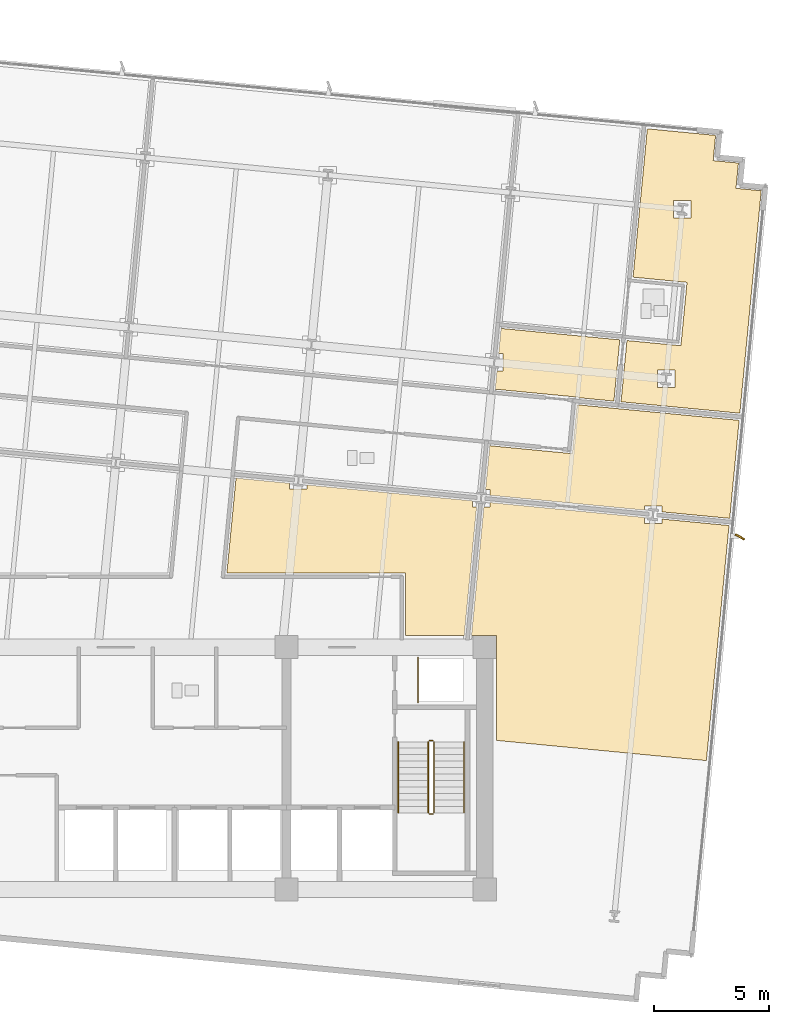
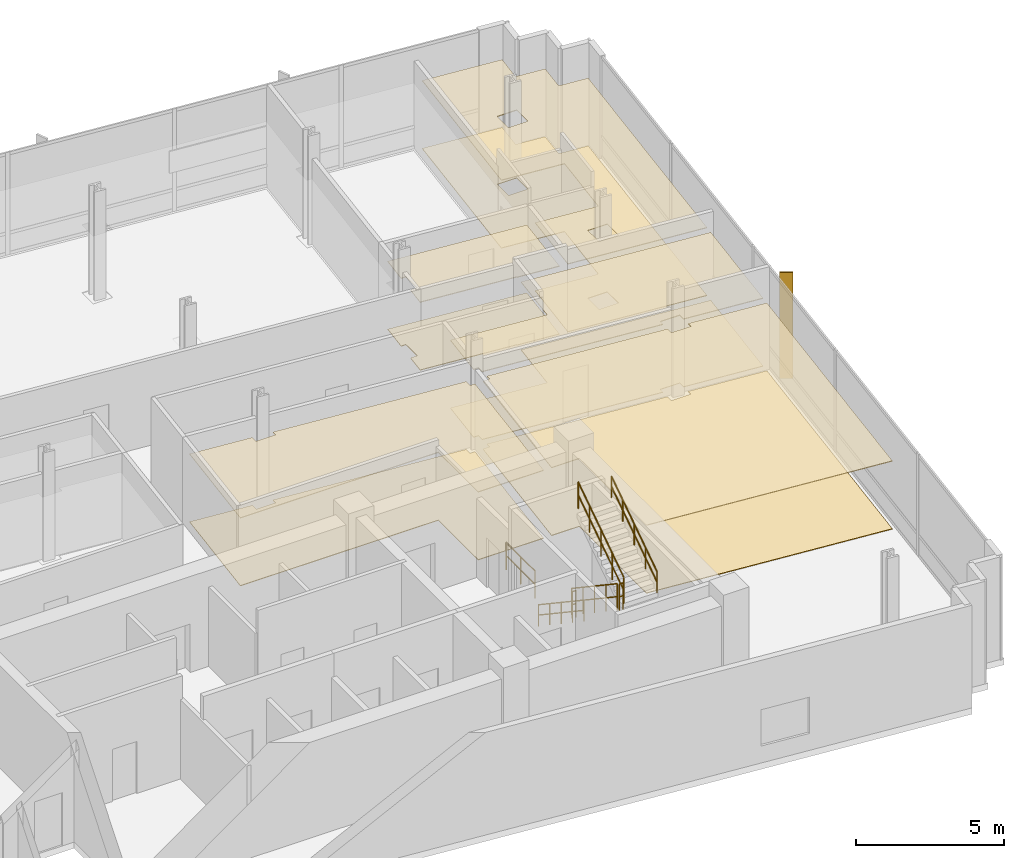
# One storey, part 15 of 17: 10 coverings, 7 railings, 1 shading device.
"""IFC4 building model written with IfcOpenShell, lengths in metres."""

import ifcopenshell
import ifcopenshell.guid

model = None  # the IFC model being written
_history = None  # IfcOwnerHistory: only IFC2X3 demands one
_inside = {}  # id of a spatial element -> (the spatial element, [elements in it])
_under = {}  # id of a project, library or spatial element -> (it, [spatial elements below it])
_declared = {}  # id of a project -> (the project, [libraries it declares])
_typed = {}  # id of a type object -> (the type object, [elements of that type])
_made_of = {}  # id of a material, layer set ... -> (it, [elements and type objects made of it])


def new_model(schema):
    """Start an empty IFC model of exactly this schema.

    Asked for "IFC4X3", IfcOpenShell would pick the latest addendum, in which some entities
    have other attributes; the version numbers below select the first issue.
    IFC2X3 requires an IfcOwnerHistory on every rooted entity: one is made here for all.
    """
    global model, _history
    if schema == "IFC4X3":
        model = ifcopenshell.file(schema_version=(4, 3, 0, 0))
    else:
        model = ifcopenshell.file(schema=schema)
    _inside.clear()
    _under.clear()
    _declared.clear()
    _typed.clear()
    _made_of.clear()
    _history = None
    if model.schema == "IFC2X3":
        org = make("IfcOrganization", Name="unknown")
        user = make(
            "IfcPersonAndOrganization",
            ThePerson=make("IfcPerson", FamilyName="unknown"),
            TheOrganization=org,
        )
        app = make(
            "IfcApplication",
            ApplicationDeveloper=org,
            Version="unknown",
            ApplicationFullName="unknown",
            ApplicationIdentifier="unknown",
        )
        _history = make(
            "IfcOwnerHistory",
            OwningUser=user,
            OwningApplication=app,
            ChangeAction="ADDED",
            CreationDate=0,
        )
    return model


def make(cls, **values):
    """One entity of the class cls with the attributes given. An attribute that is None is left unset."""
    return model.create_entity(
        cls, **{name: value for name, value in values.items() if value is not None}
    )


def rooted(cls, **values):
    """An entity with a GlobalId (a new one), such as an element, a storey or a relation."""
    return make(cls, GlobalId=ifcopenshell.guid.new(), OwnerHistory=_history, **values)


def si_unit(unit_type, name, prefix=None):
    """IfcSIUnit, for example si_unit("LENGTHUNIT", "METRE", prefix="MILLI")."""
    return make("IfcSIUnit", UnitType=unit_type, Prefix=prefix, Name=name)


def assignment(units):
    """IfcUnitAssignment: the units of a project."""
    return None if units is None else make("IfcUnitAssignment", Units=units)


def point(xyz):
    """IfcCartesianPoint."""
    return None if xyz is None else make("IfcCartesianPoint", Coordinates=xyz)


def direction(xyz):
    """IfcDirection."""
    return None if xyz is None else make("IfcDirection", DirectionRatios=xyz)


def frame(location, z_axis=None, x_axis=None):
    """IfcAxis2Placement3D, a coordinate frame: its origin and axes. An axis left out is left unset."""
    return make(
        "IfcAxis2Placement3D",
        Location=point(location),
        Axis=direction(z_axis),
        RefDirection=direction(x_axis),
    )


def frame_2d(location, x_axis=None):
    """IfcAxis2Placement2D, a coordinate frame in the plane: its origin and x axis."""
    return make(
        "IfcAxis2Placement2D", Location=point(location), RefDirection=direction(x_axis)
    )


def origin():
    """The frame at (0, 0, 0) with its axes left unset."""
    return frame((0.0, 0.0, 0.0))


def origin_2d():
    """The frame at (0, 0) in the plane with its x axis left unset."""
    return frame_2d((0.0, 0.0))


def place(relative_to, where):
    """IfcLocalPlacement: puts the frame where relative to a parent placement (None: the world)."""
    return make(
        "IfcLocalPlacement", PlacementRelTo=relative_to, RelativePlacement=where
    )


def context(
    kind, dimensions, precision=None, world=None, true_north=None, identifier=None
):
    """IfcGeometricRepresentationContext, for example the 3D "Model" context."""
    return make(
        "IfcGeometricRepresentationContext",
        ContextIdentifier=identifier,
        ContextType=kind,
        CoordinateSpaceDimension=dimensions,
        Precision=precision,
        WorldCoordinateSystem=world,
        TrueNorth=true_north,
    )


def subcontext(parent, identifier, kind, view, scale=None):
    """IfcGeometricRepresentationSubContext, for example "Body" below "Model"."""
    return make(
        "IfcGeometricRepresentationSubContext",
        ContextIdentifier=identifier,
        ContextType=kind,
        ParentContext=parent,
        TargetScale=scale,
        TargetView=view,
    )


def project(units=None, contexts=None):
    """IfcProject with its units and contexts."""
    return rooted(
        "IfcProject",
        Name="project",
        RepresentationContexts=contexts,
        UnitsInContext=assignment(units),
    )


def spatial(cls, under=None, at=None, **own):
    """A site, building, storey or space (cls), placed at a placement, below another one or the project."""
    s = rooted(cls, ObjectPlacement=at, **own)
    if under is not None:
        _under.setdefault(under.id(), (under, []))[1].append(s)
    return s


def polyline(points):
    """IfcPolyline through the points."""
    return make("IfcPolyline", Points=[point(p) for p in points])


def profile(cls, at=None, kind="AREA", **sizes):
    """A parametric profile (cls). Its sizes go by their IFC names, for example OverallWidth=200.0."""
    return make(cls, ProfileType=kind, Position=at, **sizes)


def rectangle(**sizes):
    """IfcRectangleProfileDef."""
    return profile("IfcRectangleProfileDef", **sizes)


def circle(**sizes):
    """IfcCircleProfileDef."""
    return profile("IfcCircleProfileDef", **sizes)


def outline(outer, holes=None, kind="AREA"):
    """IfcArbitraryClosedProfileDef: a profile drawn as a closed curve; with holes, ...WithVoids."""
    if holes is None:
        return make("IfcArbitraryClosedProfileDef", ProfileType=kind, OuterCurve=outer)
    return make(
        "IfcArbitraryProfileDefWithVoids",
        ProfileType=kind,
        OuterCurve=outer,
        InnerCurves=holes,
    )


def extrude(swept, where, along, depth):
    """IfcExtrudedAreaSolid: the profile swept, set in the frame where, extruded along a direction by depth."""
    return make(
        "IfcExtrudedAreaSolid",
        SweptArea=swept,
        Position=where,
        ExtrudedDirection=direction(along),
        Depth=depth,
    )


def shape(context_of_items, identifier, shape_type, items):
    """IfcShapeRepresentation: the items that make up one representation, for example the "Body"."""
    return make(
        "IfcShapeRepresentation",
        ContextOfItems=context_of_items,
        RepresentationIdentifier=identifier,
        RepresentationType=shape_type,
        Items=items,
    )


def material(Name=None, Category=None):
    """IfcMaterial."""
    return make("IfcMaterial", Name=Name, Category=Category)


def layer(
    of_material, thickness, ventilated=None, Name=None, Category=None, Priority=None
):
    """IfcMaterialLayer: one layer of a wall or slab, of a material (None: an air gap)."""
    return make(
        "IfcMaterialLayer",
        Material=of_material,
        LayerThickness=thickness,
        IsVentilated=ventilated,
        Name=Name,
        Category=Category,
        Priority=Priority,
    )


def layer_set(layers, Name=None):
    """IfcMaterialLayerSet."""
    return make("IfcMaterialLayerSet", MaterialLayers=layers, LayerSetName=Name)


def made_of(thing, what):
    """Note that an element or type object is made of a material, layer set ...; save() writes the relation."""
    if what is not None:
        _made_of.setdefault(what.id(), (what, []))[1].append(thing)
    return thing


def type_object(cls, material=None, **own):
    """A type object (cls), such as IfcWallType, which elements share."""
    return made_of(rooted(cls, **own), material)


def element(
    cls,
    number,
    at=None,
    inside=None,
    cuts=None,
    type_object=None,
    material=None,
    context=None,
    identifier="Body",
    shape_type=None,
    held_by="IfcProductDefinitionShape",
    body=None,
    shapes=None,
    **own,
):
    """One element of the class cls, such as IfcWall. Its Tag is "e" and its number.

    at: its placement. inside: the storey or other place that contains it. cuts: it is an
    opening in that element (IfcRelVoidsElement). A single representation is given by context,
    identifier, shape_type and body (its items); several are given by shapes. held_by: the class
    of the entity that holds the representations. save() writes the other relations.
    """
    e = rooted(cls, Tag="e%d" % number, ObjectPlacement=at, **own)
    if body is not None:
        shapes = [shape(context, identifier, shape_type, body)]
    if shapes is not None:
        e.Representation = make(held_by, Representations=shapes)
    if inside is not None:
        _inside.setdefault(inside.id(), (inside, []))[1].append(e)
    if cuts is not None:
        rooted(
            "IfcRelVoidsElement", RelatingBuildingElement=cuts, RelatedOpeningElement=e
        )
    if type_object is not None:
        _typed.setdefault(type_object.id(), (type_object, []))[1].append(e)
    return made_of(e, material)


def aggregate(whole, parts):
    """IfcRelAggregates: a whole, such as a stair, and the parts it consists of."""
    return rooted("IfcRelAggregates", RelatingObject=whole, RelatedObjects=parts)


def save(model, path):
    """Write the relations noted so far, then the file.

    IfcRelAggregates (storeys below a building ...), IfcRelContainedInSpatialStructure (elements
    in a storey), IfcRelDefinesByType, IfcRelAssociatesMaterial and IfcRelDeclares: one each for
    every whole, place, type object, material and project.
    """
    for whole, parts in _under.values():
        aggregate(whole, parts)
    for where, things in _inside.values():
        rooted(
            "IfcRelContainedInSpatialStructure",
            RelatedElements=things,
            RelatingStructure=where,
        )
    for kind, things in _typed.values():
        rooted("IfcRelDefinesByType", RelatedObjects=things, RelatingType=kind)
    for what, things in _made_of.values():
        rooted("IfcRelAssociatesMaterial", RelatedObjects=things, RelatingMaterial=what)
    for by, libraries in _declared.values():
        rooted("IfcRelDeclares", RelatingContext=by, RelatedDefinitions=libraries)
    model.write(path)


model = new_model("IFC4")

# Units and contexts
model_context = context("Model", 3, precision=1e-05, world=origin(), true_north=direction((0.0, 1.0)))
body_context = subcontext(model_context, "Body", "Model", "MODEL_VIEW")
ifc_project = project(units=[si_unit("LENGTHUNIT", "METRE"), si_unit("AREAUNIT", "SQUARE_METRE"), si_unit("VOLUMEUNIT", "CUBIC_METRE"), si_unit("PLANEANGLEUNIT", "RADIAN"), si_unit("MASSUNIT", "GRAM", prefix="KILO")], contexts=[model_context])

# Site, building, storey
site_placement = place(None, origin())
site = spatial("IfcSite", under=ifc_project, at=site_placement, CompositionType="ELEMENT")
building_placement = place(site_placement, origin())
building = spatial("IfcBuilding", under=site, at=building_placement, Name="Solmavex Isthmus Hotel", CompositionType="ELEMENT")
storey_placement = place(building_placement, frame((0.0, 0.0, 177.300048828125)))
storey = spatial("IfcBuildingStorey", under=building, at=storey_placement, Name="L48", CompositionType="ELEMENT", Elevation=177.300048828125)

# Coverings
ifc_material_1 = material(Name="Gypsum plasterboard lining", Category="gypsum")
ifc_layer_1 = layer(ifc_material_1, 0.030029296875)
ifc_layer_set_1 = layer_set([ifc_layer_1], Name="Gypsum plasterboard lining")
covering_type_1 = type_object("IfcCoveringType", Name="COV-CEIL-GYP", PredefinedType="CEILING", material=ifc_layer_set_1)
covering_1_placement = place(storey_placement, frame((0.0, 0.0, 2.800048828125)))
element("IfcCovering", 1, at=covering_1_placement, inside=storey, type_object=covering_type_1, Name="Suspended Acoustic Ceiling L48-SL04-FY", PredefinedType="CEILING", context=body_context, shape_type="SweptSolid", body=[
    extrude(outline(polyline([(16.5986328125, 10.22607421875), (16.786376953125, 10.22607421875), (16.786376953125, 9.466064453125), (16.525390625, 9.466064453125), (16.449951171875, 8.68359375), (20.033447265625, 8.33837890625), (20.031494140625, 8.318603515625), (21.598388671875, 8.167724609375), (21.85400390625, 10.823486328125), (16.703857421875, 11.3193359375), (16.5986328125, 10.22607421875)])), origin(), (0.0, 0.0, 1.0), 0.02978515625),
])
covering_2_placement = place(storey_placement, frame((0.0, 0.0, 2.800048828125)))
element("IfcCovering", 2, at=covering_2_placement, inside=storey, type_object=covering_type_1, Name="Suspended Acoustic Ceiling L48-SV04", PredefinedType="CEILING", context=body_context, shape_type="SweptSolid", body=[
    extrude(outline(polyline([(25.9013671875, 18.59326171875), (26.0068359375, 19.688232421875), (25.185546875, 19.767333984375), (23.04638671875, 19.97314453125), (22.42724609375, 13.541015625), (24.766357421875, 13.315673828125), (24.501708984375, 10.568359375), (22.16259765625, 10.793701171875), (21.906982421875, 8.137939453125), (27.05712890625, 7.64208984375), (27.90673828125, 16.46630859375), (27.98583984375, 17.287353515625), (26.890869140625, 17.392822265625), (26.996337890625, 18.48779296875), (25.9013671875, 18.59326171875)]), holes=[polyline([(24.188232421875, 16.106201171875), (24.188232421875, 16.8662109375), (24.9482421875, 16.8662109375), (24.9482421875, 16.106201171875), (24.188232421875, 16.106201171875)]), polyline([(23.479736328125, 8.748291015625), (23.479736328125, 9.50830078125), (24.23974609375, 9.50830078125), (24.23974609375, 8.748291015625), (23.479736328125, 8.748291015625)])]), origin(), (0.0, 0.0, 1.0), 0.02978515625),
])
covering_3_placement = place(storey_placement, frame((0.0, 0.0, 2.800048828125)))
element("IfcCovering", 3, at=covering_3_placement, inside=storey, type_object=covering_type_1, Name="Suspended Acoustic Ceiling L48-FL06", PredefinedType="CEILING", context=body_context, shape_type="SweptSolid", body=[
    extrude(outline(polyline([(22.91357421875, 3.43994140625), (22.91357421875, 3.62744140625), (23.673583984375, 3.62744140625), (23.673583984375, 3.36669921875), (26.6181640625, 3.083251953125), (27.02734375, 7.33349609375), (20.001953125, 8.010009765625), (19.797607421875, 5.8896484375), (16.21435546875, 6.23486328125), (16.0322265625, 4.34521484375), (16.219970703125, 4.34521484375), (16.219970703125, 4.08447265625), (22.91357421875, 3.43994140625)])), origin(), (0.0, 0.0, 1.0), 0.02978515625),
])
covering_4_placement = place(storey_placement, frame((0.0, 0.0, 2.800048828125)))
element("IfcCovering", 4, at=covering_4_placement, inside=storey, type_object=covering_type_1, Name="Suspended Acoustic Ceiling L48-FL08", PredefinedType="CEILING", context=body_context, shape_type="SweptSolid", body=[
    extrude(outline(polyline([(8.300537109375, 4.535400390625), (8.300537109375, 4.347900390625), (7.540771484375, 4.347900390625), (7.540771484375, 4.608642578125), (5.21533203125, 4.83251953125), (4.81787109375, 0.705078125), (12.554931640625, 0.705078125), (12.554931640625, -1.9951171875), (15.1103515625, -1.9951171875), (15.647705078125, 3.585205078125), (15.4599609375, 3.585205078125), (15.4599609375, 3.84619140625), (8.300537109375, 4.535400390625)])), origin(), (0.0, 0.0, 1.0), 0.02978515625),
])
covering_5_placement = place(storey_placement, frame((0.0, 0.0, 2.800048828125)))
element("IfcCovering", 5, at=covering_5_placement, inside=storey, type_object=covering_type_1, Name="Suspended Acoustic Ceiling L48-FL10", PredefinedType="CEILING", context=body_context, shape_type="SweptSolid", body=[
    extrude(outline(polyline([(16.219970703125, 3.77294921875), (16.219970703125, 3.585205078125), (15.959228515625, 3.585205078125), (15.421875, -1.9951171875), (16.5048828125, -1.9951171875), (16.5048828125, -6.541748046875), (25.60693359375, -7.418212890625), (26.58837890625, 2.774658203125), (23.673583984375, 3.05517578125), (23.673583984375, 2.867431640625), (22.91357421875, 2.867431640625), (22.91357421875, 3.12841796875), (16.219970703125, 3.77294921875)])), origin(), (0.0, 0.0, 1.0), 0.02978515625),
])
ifc_material_2 = material(Name="Travertine natural stone", Category="masonry")
ifc_layer_2 = layer(ifc_material_2, 0.02490234375)
ifc_layer_set_2 = layer_set([ifc_layer_2], Name="Travertine natural stone")
covering_type_2 = type_object("IfcCoveringType", Name="COV-FLOR-STN", PredefinedType="FLOORING", material=ifc_layer_set_2)
covering_6_placement = place(storey_placement, origin())
element("IfcCovering", 6, at=covering_6_placement, inside=storey, type_object=covering_type_2, Name="Stone and Timber Floor Finish L48-SL04-FY", PredefinedType="FLOORING", context=body_context, shape_type="SweptSolid", body=[
    extrude(outline(polyline([(16.5986328125, 10.22607421875), (16.786376953125, 10.22607421875), (16.786376953125, 9.466064453125), (16.525390625, 9.466064453125), (16.449951171875, 8.68359375), (20.033447265625, 8.33837890625), (20.031494140625, 8.318603515625), (21.598388671875, 8.167724609375), (21.85400390625, 10.823486328125), (16.703857421875, 11.3193359375), (16.5986328125, 10.22607421875)])), origin(), (0.0, 0.0, 1.0), 0.02490234375),
])
covering_7_placement = place(storey_placement, origin())
element("IfcCovering", 7, at=covering_7_placement, inside=storey, type_object=covering_type_2, Name="Stone and Timber Floor Finish L48-SV04", PredefinedType="FLOORING", context=body_context, shape_type="SweptSolid", body=[
    extrude(outline(polyline([(25.9013671875, 18.59326171875), (26.0068359375, 19.688232421875), (25.185546875, 19.767333984375), (23.04638671875, 19.97314453125), (22.42724609375, 13.541015625), (24.766357421875, 13.315673828125), (24.501708984375, 10.568359375), (22.16259765625, 10.793701171875), (21.906982421875, 8.137939453125), (27.05712890625, 7.64208984375), (27.90673828125, 16.46630859375), (27.98583984375, 17.287353515625), (26.890869140625, 17.392822265625), (26.996337890625, 18.48779296875), (25.9013671875, 18.59326171875)]), holes=[polyline([(24.188232421875, 16.106201171875), (24.188232421875, 16.8662109375), (24.9482421875, 16.8662109375), (24.9482421875, 16.106201171875), (24.188232421875, 16.106201171875)]), polyline([(23.479736328125, 8.748291015625), (23.479736328125, 9.50830078125), (24.23974609375, 9.50830078125), (24.23974609375, 8.748291015625), (23.479736328125, 8.748291015625)])]), origin(), (0.0, 0.0, 1.0), 0.02490234375),
])
covering_8_placement = place(storey_placement, origin())
element("IfcCovering", 8, at=covering_8_placement, inside=storey, type_object=covering_type_2, Name="Stone and Timber Floor Finish L48-FL06", PredefinedType="FLOORING", context=body_context, shape_type="SweptSolid", body=[
    extrude(outline(polyline([(22.91357421875, 3.43994140625), (22.91357421875, 3.62744140625), (23.673583984375, 3.62744140625), (23.673583984375, 3.36669921875), (26.6181640625, 3.083251953125), (27.02734375, 7.33349609375), (20.001953125, 8.010009765625), (19.797607421875, 5.8896484375), (16.21435546875, 6.23486328125), (16.0322265625, 4.34521484375), (16.219970703125, 4.34521484375), (16.219970703125, 4.08447265625), (22.91357421875, 3.43994140625)])), origin(), (0.0, 0.0, 1.0), 0.02490234375),
])
covering_9_placement = place(storey_placement, origin())
element("IfcCovering", 9, at=covering_9_placement, inside=storey, type_object=covering_type_2, Name="Stone and Timber Floor Finish L48-FL08", PredefinedType="FLOORING", context=body_context, shape_type="SweptSolid", body=[
    extrude(outline(polyline([(8.300537109375, 4.535400390625), (8.300537109375, 4.347900390625), (7.540771484375, 4.347900390625), (7.540771484375, 4.608642578125), (5.21533203125, 4.83251953125), (4.81787109375, 0.705078125), (12.554931640625, 0.705078125), (12.554931640625, -1.9951171875), (15.1103515625, -1.9951171875), (15.647705078125, 3.585205078125), (15.4599609375, 3.585205078125), (15.4599609375, 3.84619140625), (8.300537109375, 4.535400390625)])), origin(), (0.0, 0.0, 1.0), 0.02490234375),
])
covering_10_placement = place(storey_placement, origin())
element("IfcCovering", 10, at=covering_10_placement, inside=storey, type_object=covering_type_2, Name="Stone and Timber Floor Finish L48-FL10", PredefinedType="FLOORING", context=body_context, shape_type="SweptSolid", body=[
    extrude(outline(polyline([(16.219970703125, 3.77294921875), (16.219970703125, 3.585205078125), (15.959228515625, 3.585205078125), (15.421875, -1.9951171875), (16.5048828125, -1.9951171875), (16.5048828125, -6.541748046875), (25.60693359375, -7.418212890625), (26.58837890625, 2.774658203125), (23.673583984375, 3.05517578125), (23.673583984375, 2.867431640625), (22.91357421875, 2.867431640625), (22.91357421875, 3.12841796875), (16.219970703125, 3.77294921875)])), origin(), (0.0, 0.0, 1.0), 0.02490234375),
])

# Railings
ifc_material_3 = material(Name="Clear low-E laminated glass", Category="glass")
ifc_layer_3 = layer(ifc_material_3, 0.080078125)
ifc_layer_set_3 = layer_set([ifc_layer_3], Name="Clear low-E laminated glass")
railing_type_1 = type_object("IfcRailingType", Name="RAIL-ATRIUM-1120", PredefinedType="BALUSTRADE", material=ifc_layer_set_3)
railing_1_placement = place(storey_placement, frame((13.10009765625, -4.89990234375, 0.0)))
element("IfcRailing", 11, at=railing_1_placement, inside=storey, type_object=railing_type_1, Name="Guardrail Balustrade L48-RSE-01", PredefinedType="BALUSTRADE", context=body_context, shape_type="SweptSolid", body=[
    extrude(circle(Radius=0.02392578125, at=origin_2d()), frame((0.0, 0.0, 1.1259765625), z_axis=(0.0, 1.0, 0.0), x_axis=(-1.0, 0.0, 0.0)), (0.0, 0.0, 1.0), 1.949951171875),
    extrude(circle(Radius=0.02392578125, at=origin_2d()), frame((0.0, 0.0, 0.574951171875), z_axis=(0.0, 1.0, 0.0), x_axis=(-1.0, 0.0, 0.0)), (0.0, 0.0, 1.0), 1.949951171875),
    extrude(circle(Radius=0.02099609375, at=origin_2d()), origin(), (0.0, 0.0, 1.0), 1.101806640625),
    extrude(circle(Radius=0.02099609375, at=origin_2d()), frame((0.0, 0.97509765625, 0.0)), (0.0, 0.0, 1.0), 1.101806640625),
    extrude(circle(Radius=0.02099609375, at=origin_2d()), frame((0.0, 1.949951171875, 0.0)), (0.0, 0.0, 1.0), 1.101806640625),
])
ifc_material_4 = material(Name="Stainless steel 316", Category="steel")
ifc_layer_4 = layer(ifc_material_4, 0.06005859375)
ifc_layer_set_4 = layer_set([ifc_layer_4], Name="Stainless steel 316")
railing_type_2 = type_object("IfcRailingType", Name="RAIL-STAIR-GD", PredefinedType="GUARDRAIL", material=ifc_layer_set_4)
railing_2_placement = place(storey_placement, frame((13.550048828125, -6.60009765625, 0.1875)))
element("IfcRailing", 12, at=railing_2_placement, inside=storey, type_object=railing_type_2, Name="L48 ST-2 stair guard 1", PredefinedType="GUARDRAIL", context=body_context, shape_type="SweptSolid", body=[
    extrude(circle(Radius=0.02392578125, at=origin_2d()), frame((0.0, 0.0, 1.09619140625), z_axis=(0.0, -0.830893310487, 0.556431762742), x_axis=(1.0, 0.0, 0.0)), (0.0, 0.0, 1.0), 3.70654296875),
    extrude(circle(Radius=0.02392578125, at=origin_2d()), frame((0.0, 0.0, 0.56005859375), z_axis=(0.0, -0.830893310487, 0.556431762742), x_axis=(1.0, 0.0, 0.0)), (0.0, 0.0, 1.0), 3.70654296875),
    extrude(circle(Radius=0.02099609375, at=origin_2d()), origin(), (0.0, 0.0, 1.0), 1.072021484375),
    extrude(circle(Radius=0.02099609375, at=origin_2d()), frame((0.0, -0.77001953125, 0.515625)), (0.0, 0.0, 1.0), 1.072021484375),
    extrude(circle(Radius=0.02099609375, at=origin_2d()), frame((0.0, -1.5400390625, 1.03125)), (0.0, 0.0, 1.0), 1.072021484375),
    extrude(circle(Radius=0.02099609375, at=origin_2d()), frame((0.0, -2.309814453125, 1.546875)), (0.0, 0.0, 1.0), 1.072021484375),
    extrude(circle(Radius=0.02099609375, at=origin_2d()), frame((0.0, -3.079833984375, 2.0625)), (0.0, 0.0, 1.0), 1.072021484375),
])
railing_3_placement = place(storey_placement, frame((13.60009765625, -9.72998046875, 2.25)))
element("IfcRailing", 13, at=railing_3_placement, inside=storey, type_object=railing_type_2, Name="L48 ST-2 stair guard 2", PredefinedType="GUARDRAIL", context=body_context, shape_type="SweptSolid", body=[
    extrude(circle(Radius=0.02392578125, at=origin_2d()), frame((0.0, 0.0, 1.09619140625), z_axis=(1.0, 0.0, 0.0), x_axis=(0.0, 1.0, 0.0)), (0.0, 0.0, 1.0), 0.14990234375),
    extrude(circle(Radius=0.02392578125, at=origin_2d()), frame((0.0, 0.0, 0.56005859375), z_axis=(1.0, 0.0, 0.0), x_axis=(0.0, 1.0, 0.0)), (0.0, 0.0, 1.0), 0.14990234375),
    extrude(circle(Radius=0.02099609375, at=origin_2d()), origin(), (0.0, 0.0, 1.0), 1.072021484375),
    extrude(circle(Radius=0.02099609375, at=origin_2d()), frame((0.14990234375, 0.0, 0.0)), (0.0, 0.0, 1.0), 1.072021484375),
])
railing_4_placement = place(storey_placement, frame((13.800048828125, -9.679931640625, 2.4375)))
element("IfcRailing", 14, at=railing_4_placement, inside=storey, type_object=railing_type_2, Name="L48 ST-2 stair guard 3", PredefinedType="GUARDRAIL", context=body_context, shape_type="SweptSolid", body=[
    extrude(circle(Radius=0.02392578125, at=origin_2d()), frame((0.0, 0.0, 1.09619140625), z_axis=(0.0, 0.830893310487, 0.556431762742), x_axis=(-1.0, 0.0, 0.0)), (0.0, 0.0, 1.0), 3.70654296875),
    extrude(circle(Radius=0.02392578125, at=origin_2d()), frame((0.0, 0.0, 0.56005859375), z_axis=(0.0, 0.830893310487, 0.556431762742), x_axis=(-1.0, 0.0, 0.0)), (0.0, 0.0, 1.0), 3.70654296875),
    extrude(circle(Radius=0.02099609375, at=origin_2d()), origin(), (0.0, 0.0, 1.0), 1.072021484375),
    extrude(circle(Radius=0.02099609375, at=origin_2d()), frame((0.0, 0.77001953125, 0.515625)), (0.0, 0.0, 1.0), 1.072021484375),
    extrude(circle(Radius=0.02099609375, at=origin_2d()), frame((0.0, 1.5400390625, 1.03125)), (0.0, 0.0, 1.0), 1.072021484375),
    extrude(circle(Radius=0.02099609375, at=origin_2d()), frame((0.0, 2.309814453125, 1.546875)), (0.0, 0.0, 1.0), 1.072021484375),
    extrude(circle(Radius=0.02099609375, at=origin_2d()), frame((0.0, 3.079833984375, 2.0625)), (0.0, 0.0, 1.0), 1.072021484375),
])
railing_5_placement = place(storey_placement, frame((13.60009765625, -6.550048828125, 0.0)))
element("IfcRailing", 15, at=railing_5_placement, inside=storey, type_object=railing_type_2, Name="L48 ST-2 stair guard 4", PredefinedType="GUARDRAIL", context=body_context, shape_type="SweptSolid", body=[
    extrude(circle(Radius=0.02392578125, at=origin_2d()), frame((0.0, 0.0, 1.09619140625), z_axis=(1.0, 0.0, 0.0), x_axis=(0.0, 1.0, 0.0)), (0.0, 0.0, 1.0), 0.14990234375),
    extrude(circle(Radius=0.02392578125, at=origin_2d()), frame((0.0, 0.0, 0.56005859375), z_axis=(1.0, 0.0, 0.0), x_axis=(0.0, 1.0, 0.0)), (0.0, 0.0, 1.0), 0.14990234375),
    extrude(circle(Radius=0.02099609375, at=origin_2d()), origin(), (0.0, 0.0, 1.0), 1.072021484375),
    extrude(circle(Radius=0.02099609375, at=origin_2d()), frame((0.14990234375, 0.0, 0.0)), (0.0, 0.0, 1.0), 1.072021484375),
])
ifc_layer_5 = layer(ifc_material_4, 0.050048828125)
ifc_layer_set_5 = layer_set([ifc_layer_5], Name="Stainless steel 316")
railing_type_3 = type_object("IfcRailingType", Name="RAIL-STAIR-HR", PredefinedType="HANDRAIL", material=ifc_layer_set_5)
railing_6_placement = place(storey_placement, frame((12.25, -6.60009765625, 0.1875)))
element("IfcRailing", 16, at=railing_6_placement, inside=storey, type_object=railing_type_3, Name="L48 ST-2 stair handrail 1", PredefinedType="HANDRAIL", context=body_context, shape_type="SweptSolid", body=[
    extrude(circle(Radius=0.02392578125, at=origin_2d()), frame((0.0, 0.0, 0.8759765625), z_axis=(0.0, -0.830893310487, 0.556431762742), x_axis=(1.0, 0.0, 0.0)), (0.0, 0.0, 1.0), 3.70654296875),
    extrude(circle(Radius=0.02392578125, at=origin_2d()), frame((0.0, 0.0, 0.449951171875), z_axis=(0.0, -0.830893310487, 0.556431762742), x_axis=(1.0, 0.0, 0.0)), (0.0, 0.0, 1.0), 3.70654296875),
    extrude(circle(Radius=0.02099609375, at=origin_2d()), origin(), (0.0, 0.0, 1.0), 0.851806640625),
    extrude(circle(Radius=0.02099609375, at=origin_2d()), frame((0.0, -0.77001953125, 0.515625)), (0.0, 0.0, 1.0), 0.851806640625),
    extrude(circle(Radius=0.02099609375, at=origin_2d()), frame((0.0, -1.5400390625, 1.03125)), (0.0, 0.0, 1.0), 0.851806640625),
    extrude(circle(Radius=0.02099609375, at=origin_2d()), frame((0.0, -2.309814453125, 1.546875)), (0.0, 0.0, 1.0), 0.851806640625),
    extrude(circle(Radius=0.02099609375, at=origin_2d()), frame((0.0, -3.079833984375, 2.0625)), (0.0, 0.0, 1.0), 0.851806640625),
])
railing_7_placement = place(storey_placement, frame((15.10009765625, -9.679931640625, 2.4375)))
element("IfcRailing", 17, at=railing_7_placement, inside=storey, type_object=railing_type_3, Name="L48 ST-2 stair handrail 2", PredefinedType="HANDRAIL", context=body_context, shape_type="SweptSolid", body=[
    extrude(circle(Radius=0.02392578125, at=origin_2d()), frame((0.0, 0.0, 0.8759765625), z_axis=(0.0, 0.830893310487, 0.556431762742), x_axis=(-1.0, 0.0, 0.0)), (0.0, 0.0, 1.0), 3.70654296875),
    extrude(circle(Radius=0.02392578125, at=origin_2d()), frame((0.0, 0.0, 0.449951171875), z_axis=(0.0, 0.830893310487, 0.556431762742), x_axis=(-1.0, 0.0, 0.0)), (0.0, 0.0, 1.0), 3.70654296875),
    extrude(circle(Radius=0.02099609375, at=origin_2d()), origin(), (0.0, 0.0, 1.0), 0.851806640625),
    extrude(circle(Radius=0.02099609375, at=origin_2d()), frame((0.0, 0.77001953125, 0.515625)), (0.0, 0.0, 1.0), 0.851806640625),
    extrude(circle(Radius=0.02099609375, at=origin_2d()), frame((0.0, 1.5400390625, 1.03125)), (0.0, 0.0, 1.0), 0.851806640625),
    extrude(circle(Radius=0.02099609375, at=origin_2d()), frame((0.0, 2.309814453125, 1.546875)), (0.0, 0.0, 1.0), 0.851806640625),
    extrude(circle(Radius=0.02099609375, at=origin_2d()), frame((0.0, 3.079833984375, 2.0625)), (0.0, 0.0, 1.0), 0.851806640625),
])

# Shading device
ifc_material_5 = material(Name="Aluminium alloy 6063-T6", Category="aluminium")
shading_device_type = type_object("IfcShadingDeviceType", Name="SHD-FIN-BRONZE", PredefinedType="USERDEFINED", material=ifc_material_5)
shading_device_placement = place(storey_placement, frame((27.058349609375, 2.2822265625, -0.139892578125), z_axis=(0.0, 0.0, 1.0), x_axis=(0.87035569594, -0.492423560103, 0.0)))
element("IfcShadingDevice", 18, at=shading_device_placement, inside=storey, type_object=shading_device_type, Name="Anodised Aluminium Solar Fin L48-E1", ObjectType="SOLAR_FIN", PredefinedType="USERDEFINED", context=body_context, shape_type="SweptSolid", body=[
    extrude(rectangle(XDim=0.449951171875, YDim=0.080078125, at=origin_2d()), origin(), (0.0, 0.0, 1.0), 4.3798828125),
])

save(model, "model.ifc")
